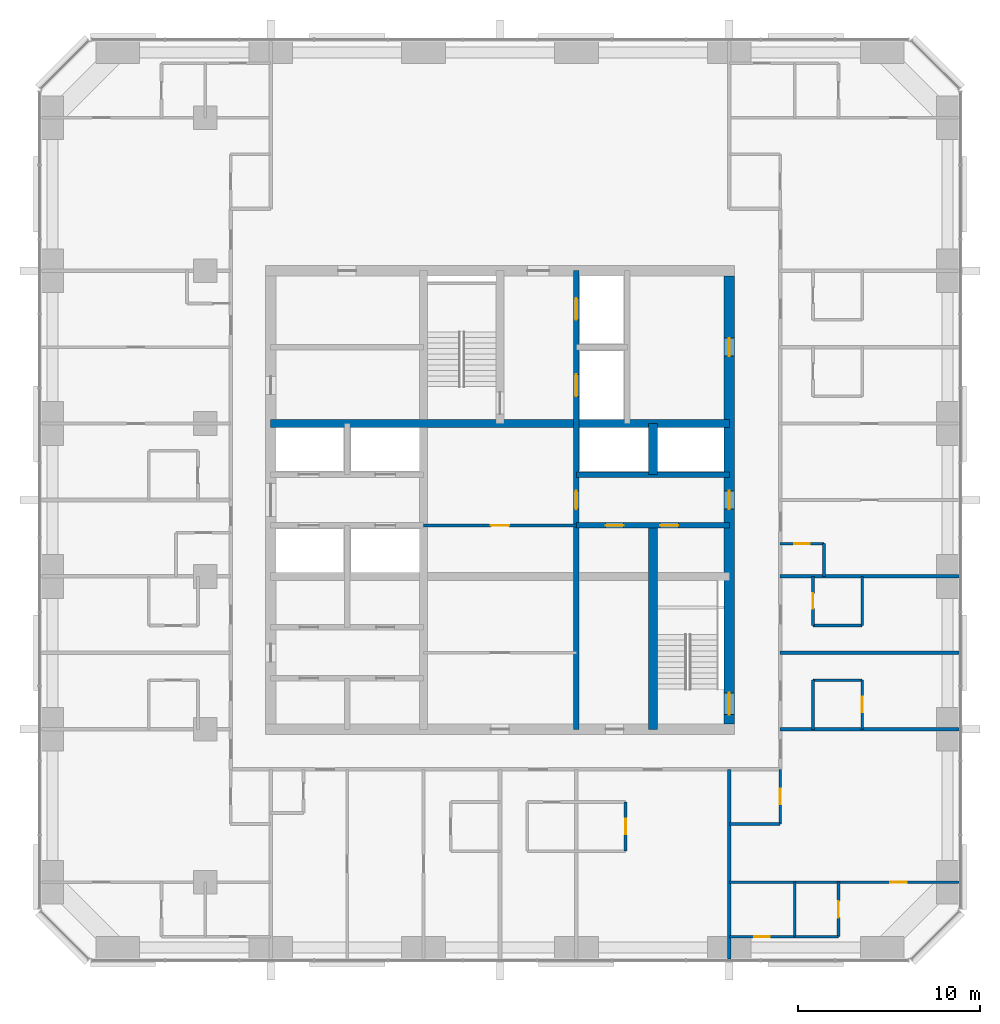
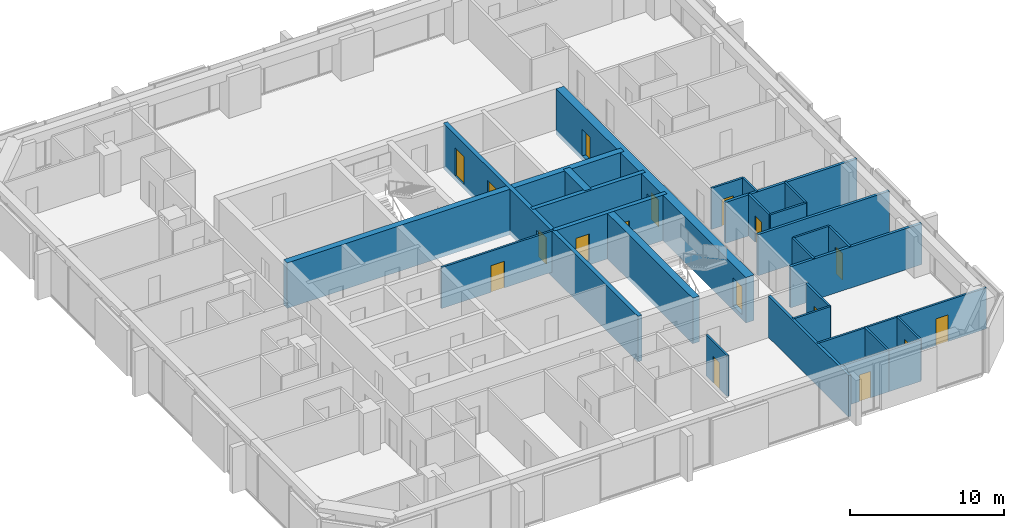
# One storey, part 10 of 13: 28 walls, 17 doors, 17 openings.
"""IFC4 building model written with IfcOpenShell, lengths in metres."""

from ifc_helpers import new_model, si_unit, direction, frame, frame_2d, origin, place, context, subcontext, project, spatial, rectangle, extrude, material, layer, layer_set, type_object, element, fill, save


model = new_model("IFC4")

# Units and contexts
model_context = context("Model", 3, precision=1e-05, world=origin(), true_north=direction((0.0, 1.0)))
body_context = subcontext(model_context, "Body", "Model", "MODEL_VIEW")
ifc_project = project(units=[si_unit("LENGTHUNIT", "METRE"), si_unit("AREAUNIT", "SQUARE_METRE"), si_unit("VOLUMEUNIT", "CUBIC_METRE"), si_unit("PLANEANGLEUNIT", "RADIAN"), si_unit("MASSUNIT", "GRAM", prefix="KILO")], contexts=[model_context])

# Site, building, storey
site_placement = place(None, origin())
site = spatial("IfcSite", under=ifc_project, at=site_placement, CompositionType="ELEMENT")
building_placement = place(site_placement, origin())
building = spatial("IfcBuilding", under=site, at=building_placement, Name="Dunama Terrace Hotel", CompositionType="ELEMENT")
storey_placement = place(building_placement, frame((0.0, 0.0, 205.800048828125)))
storey = spatial("IfcBuildingStorey", under=building, at=storey_placement, Name="L53", CompositionType="ELEMENT", Elevation=205.800048828125)

# Wall, opening, door
ifc_material_1 = material(Name="Gypsum board partition", Category="masonry")
ifc_layer_1 = layer(ifc_material_1, 0.14990234375)
ifc_layer_set_1 = layer_set([ifc_layer_1], Name="Bathroom partition 150")
wall_type_1 = type_object("IfcWallType", Name="Bathroom partition 150", PredefinedType="PARTITIONING", material=ifc_layer_set_1)
wall_1_placement = place(storey_placement, frame((36.300048828125, 10.10009765625, 0.0), z_axis=(0.0, 0.0, 1.0), x_axis=(0.0, 1.0, 0.0)))
wall_1 = element("IfcWall", 1, at=wall_1_placement, inside=storey, type_object=wall_type_1, Name="Bathroom partition 150 L53", PredefinedType="PARTITIONING", context=body_context, shape_type="SweptSolid", body=[
    extrude(rectangle(XDim=2.699951171875, YDim=0.14990234375, at=frame_2d((1.35009765625, 0.0))), origin(), (0.0, 0.0, 1.0), 3.25),
])
opening_1_placement = place(wall_1_placement, frame((0.925048828125, 0.0, 0.0)))
opening_1 = element("IfcOpeningElement", 2, at=opening_1_placement, cuts=wall_1, Name="Opening L53-54-017", PredefinedType="OPENING", context=body_context, shape_type="SweptSolid", body=[
    extrude(rectangle(XDim=0.85009765625, YDim=2.10009765625, at=frame_2d((0.425048828125, 1.050048828125))), frame((0.0, 0.0849609375, 0.0), z_axis=(0.0, -1.0, 0.0), x_axis=(1.0, 0.0, 0.0)), (0.0, 0.0, 1.0), 0.169921875),
])
ifc_material_2 = material(Name="Timber door with steel frame", Category="steel")
door_type_1 = type_object("IfcDoorType", Name="Bathroom door 850", OperationType="SINGLE_SWING_LEFT", PredefinedType="DOOR", material=ifc_material_2)
door_1_placement = place(opening_1_placement, origin())
door_1 = element("IfcDoor", 3, at=door_1_placement, inside=storey, type_object=door_type_1, Name="Door to en-suite bathroom L53-54-017, type D2", OperationType="SINGLE_SWING_LEFT", OverallHeight=2.10009765625, OverallWidth=0.85009765625, PredefinedType="DOOR", context=body_context, shape_type="SweptSolid", body=[
    extrude(rectangle(XDim=0.85009765625, YDim=2.10009765625, at=frame_2d((0.425048828125, 1.050048828125))), frame((0.0, 0.02490234375, 0.0), z_axis=(0.0, -1.0, 0.0), x_axis=(1.0, 0.0, 0.0)), (0.0, 0.0, 1.0), 0.050048828125),
])
fill(opening_1, door_1)

wall_2_placement = place(storey_placement, frame((44.800048828125, 11.60009765625, 0.0), z_axis=(0.0, 0.0, 1.0), x_axis=(0.0, 1.0, 0.0)))
wall_2 = element("IfcWall", 4, at=wall_2_placement, inside=storey, type_object=wall_type_1, Name="Bathroom partition 150 L53", PredefinedType="PARTITIONING", context=body_context, shape_type="SweptSolid", body=[
    extrude(rectangle(XDim=3.0, YDim=0.14990234375, at=frame_2d((1.5, 0.0))), origin(), (0.0, 0.0, 1.0), 3.25),
])
opening_2_placement = place(wall_2_placement, frame((1.074951171875, 0.0, 0.0)))
opening_2 = element("IfcOpeningElement", 5, at=opening_2_placement, cuts=wall_2, Name="Opening L53-54-046", PredefinedType="OPENING", context=body_context, shape_type="SweptSolid", body=[
    extrude(rectangle(XDim=0.85009765625, YDim=2.10009765625, at=frame_2d((0.425048828125, 1.050048828125))), frame((0.0, 0.0849609375, 0.0), z_axis=(0.0, -1.0, 0.0), x_axis=(1.0, 0.0, 0.0)), (0.0, 0.0, 1.0), 0.169921875),
])
door_2_placement = place(opening_2_placement, origin())
door_2 = element("IfcDoor", 6, at=door_2_placement, inside=storey, type_object=door_type_1, Name="Door to powder room L53-54-046, type D2", OperationType="SINGLE_SWING_RIGHT", OverallHeight=2.10009765625, OverallWidth=0.85009765625, PredefinedType="DOOR", context=body_context, shape_type="SweptSolid", body=[
    extrude(rectangle(XDim=0.85009765625, YDim=2.10009765625, at=frame_2d((0.425048828125, 1.050048828125))), frame((0.0, 0.02490234375, 0.0), z_axis=(0.0, -1.0, 0.0), x_axis=(1.0, 0.0, 0.0)), (0.0, 0.0, 1.0), 0.050048828125),
])
fill(opening_2, door_2)

# Wall
wall_3_placement = place(storey_placement, frame((46.60009765625, 16.800048828125, 0.0), z_axis=(0.0, 0.0, 1.0), x_axis=(0.0, 1.0, 0.0)))
element("IfcWall", 7, at=wall_3_placement, inside=storey, type_object=wall_type_1, Name="Bathroom partition 150 L53", PredefinedType="PARTITIONING", context=body_context, shape_type="SweptSolid", body=[
    extrude(rectangle(XDim=2.699951171875, YDim=0.14990234375, at=frame_2d((1.35009765625, 0.0))), origin(), (0.0, 0.0, 1.0), 3.25),
])

# Wall, opening, door
wall_4_placement = place(storey_placement, frame((46.60009765625, 22.5, 0.0), z_axis=(0.0, 0.0, 1.0), x_axis=(0.0, 1.0, 0.0)))
wall_4 = element("IfcWall", 8, at=wall_4_placement, inside=storey, type_object=wall_type_1, Name="Bathroom partition 150 L53", PredefinedType="PARTITIONING", context=body_context, shape_type="SweptSolid", body=[
    extrude(rectangle(XDim=2.699951171875, YDim=0.14990234375, at=frame_2d((1.35009765625, 0.0))), origin(), (0.0, 0.0, 1.0), 3.25),
])
opening_3_placement = place(wall_4_placement, frame((0.925048828125, 0.0, 0.0)))
opening_3 = element("IfcOpeningElement", 9, at=opening_3_placement, cuts=wall_4, Name="Opening L53-54-021", PredefinedType="OPENING", context=body_context, shape_type="SweptSolid", body=[
    extrude(rectangle(XDim=0.85009765625, YDim=2.10009765625, at=frame_2d((0.425048828125, 1.050048828125))), frame((0.0, 0.0849609375, 0.0), z_axis=(0.0, -1.0, 0.0), x_axis=(1.0, 0.0, 0.0)), (0.0, 0.0, 1.0), 0.169921875),
])
door_3_placement = place(opening_3_placement, frame((0.85009765625, 0.0, 0.0), z_axis=(0.0, 0.0, 1.0), x_axis=(-1.0, 0.0, 0.0)))
door_3 = element("IfcDoor", 10, at=door_3_placement, inside=storey, type_object=door_type_1, Name="Door to en-suite bathroom L53-54-021, type D2", OperationType="SINGLE_SWING_LEFT", OverallHeight=2.10009765625, OverallWidth=0.85009765625, PredefinedType="DOOR", context=body_context, shape_type="SweptSolid", body=[
    extrude(rectangle(XDim=0.85009765625, YDim=2.10009765625, at=frame_2d((0.425048828125, 1.050048828125))), frame((0.0, 0.025146484375, 0.0), z_axis=(0.0, -1.0, 0.0), x_axis=(1.0, 0.0, 0.0)), (0.0, 0.0, 1.0), 0.050048828125),
])
fill(opening_3, door_3)

# Wall
wall_5_placement = place(storey_placement, frame((47.199951171875, 25.199951171875, 0.0), z_axis=(0.0, 0.0, 1.0), x_axis=(0.0, 1.0, 0.0)))
element("IfcWall", 11, at=wall_5_placement, inside=storey, type_object=wall_type_1, Name="Bathroom partition 150 L53", PredefinedType="PARTITIONING", context=body_context, shape_type="SweptSolid", body=[
    extrude(rectangle(XDim=1.800048828125, YDim=0.14990234375, at=frame_2d((0.89990234375, 0.0))), origin(), (0.0, 0.0, 1.0), 3.25),
])

# Wall, opening, door
wall_6_placement = place(storey_placement, frame((49.300048828125, 16.800048828125, 0.0), z_axis=(0.0, 0.0, 1.0), x_axis=(0.0, 1.0, 0.0)))
wall_6 = element("IfcWall", 12, at=wall_6_placement, inside=storey, type_object=wall_type_1, Name="Bathroom partition 150 L53", PredefinedType="PARTITIONING", context=body_context, shape_type="SweptSolid", body=[
    extrude(rectangle(XDim=2.699951171875, YDim=0.14990234375, at=frame_2d((1.35009765625, 0.0))), origin(), (0.0, 0.0, 1.0), 3.25),
])
opening_4_placement = place(wall_6_placement, frame((0.925048828125, 0.0, 0.0)))
opening_4 = element("IfcOpeningElement", 13, at=opening_4_placement, cuts=wall_6, Name="Opening L53-54-019", PredefinedType="OPENING", context=body_context, shape_type="SweptSolid", body=[
    extrude(rectangle(XDim=0.85009765625, YDim=2.10009765625, at=frame_2d((0.425048828125, 1.050048828125))), frame((0.0, 0.0849609375, 0.0), z_axis=(0.0, -1.0, 0.0), x_axis=(1.0, 0.0, 0.0)), (0.0, 0.0, 1.0), 0.169921875),
])
door_4_placement = place(opening_4_placement, origin())
door_4 = element("IfcDoor", 14, at=door_4_placement, inside=storey, type_object=door_type_1, Name="Door to en-suite bathroom L53-54-019, type D2", OperationType="SINGLE_SWING_LEFT", OverallHeight=2.10009765625, OverallWidth=0.85009765625, PredefinedType="DOOR", context=body_context, shape_type="SweptSolid", body=[
    extrude(rectangle(XDim=0.85009765625, YDim=2.10009765625, at=frame_2d((0.425048828125, 1.050048828125))), frame((0.0, 0.02490234375, 0.0), z_axis=(0.0, -1.0, 0.0), x_axis=(1.0, 0.0, 0.0)), (0.0, 0.0, 1.0), 0.050048828125),
])
fill(opening_4, door_4)

# Wall
wall_7_placement = place(storey_placement, frame((49.300048828125, 22.5, 0.0), z_axis=(0.0, 0.0, 1.0), x_axis=(0.0, 1.0, 0.0)))
element("IfcWall", 15, at=wall_7_placement, inside=storey, type_object=wall_type_1, Name="Bathroom partition 150 L53", PredefinedType="PARTITIONING", context=body_context, shape_type="SweptSolid", body=[
    extrude(rectangle(XDim=2.699951171875, YDim=0.14990234375, at=frame_2d((1.35009765625, 0.0))), origin(), (0.0, 0.0, 1.0), 3.25),
])

# Wall, opening, door
wall_8_placement = place(storey_placement, frame((42.0, 5.39990234375, 0.0), z_axis=(0.0, 0.0, 1.0), x_axis=(1.0, 0.0, 0.0)))
wall_8 = element("IfcWall", 16, at=wall_8_placement, inside=storey, type_object=wall_type_1, Name="Bathroom partition 150 L53", PredefinedType="PARTITIONING", context=body_context, shape_type="SweptSolid", body=[
    extrude(rectangle(XDim=3.60009765625, YDim=0.14990234375, at=frame_2d((1.800048828125, 0.0))), origin(), (0.0, 0.0, 1.0), 3.25),
])
opening_5_placement = place(wall_8_placement, frame((1.375, 0.0, 0.0)))
opening_5 = element("IfcOpeningElement", 17, at=opening_5_placement, cuts=wall_8, Name="Opening L53-54-048", PredefinedType="OPENING", context=body_context, shape_type="SweptSolid", body=[
    extrude(rectangle(XDim=0.85009765625, YDim=2.10009765625, at=frame_2d((0.425048828125, 1.050048828125))), frame((0.0, 0.0849609375, 0.0), z_axis=(0.0, -1.0, 0.0), x_axis=(1.0, 0.0, 0.0)), (0.0, 0.0, 1.0), 0.169921875),
])
door_5_placement = place(opening_5_placement, origin())
door_5 = element("IfcDoor", 18, at=door_5_placement, inside=storey, type_object=door_type_1, Name="Door to en-suite bathroom L53-54-048, type D2", OperationType="SINGLE_SWING_LEFT", OverallHeight=2.10009765625, OverallWidth=0.85009765625, PredefinedType="DOOR", context=body_context, shape_type="SweptSolid", body=[
    extrude(rectangle(XDim=0.85009765625, YDim=2.10009765625, at=frame_2d((0.425048828125, 1.050048828125))), frame((0.0, 0.02490234375, 0.0), z_axis=(0.0, -1.0, 0.0), x_axis=(1.0, 0.0, 0.0)), (0.0, 0.0, 1.0), 0.050048828125),
])
fill(opening_5, door_5)

# Walls
wall_9_placement = place(storey_placement, frame((42.0, 11.60009765625, 0.0), z_axis=(0.0, 0.0, 1.0), x_axis=(1.0, 0.0, 0.0)))
element("IfcWall", 19, at=wall_9_placement, inside=storey, type_object=wall_type_1, Name="Bathroom partition 150 L53", PredefinedType="PARTITIONING", context=body_context, shape_type="SweptSolid", body=[
    extrude(rectangle(XDim=2.800048828125, YDim=0.14990234375, at=frame_2d((1.39990234375, 0.0))), origin(), (0.0, 0.0, 1.0), 3.25),
])
for number, where, z_axis, x_axis, name in (
    (20, (46.60009765625, 19.5, 0.0), (0.0, 0.0, 1.0), (1.0, 0.0, 0.0), "Bathroom partition 150 L53"),
    (21, (46.60009765625, 22.5, 0.0), (0.0, 0.0, 1.0), (1.0, 0.0, 0.0), "Bathroom partition 150 L53"),
):
    element("IfcWall", number, at=place(storey_placement, frame(where, z_axis=z_axis, x_axis=x_axis)), inside=storey, type_object=wall_type_1, Name=name, PredefinedType="PARTITIONING", context=body_context, shape_type="SweptSolid", body=[
        extrude(rectangle(XDim=2.699951171875, YDim=0.14990234375, at=frame_2d((1.35009765625, 0.0))), origin(), (0.0, 0.0, 1.0), 3.25),
    ])

# Wall, opening, door
wall_10_placement = place(storey_placement, frame((44.800048828125, 27.0, 0.0), z_axis=(0.0, 0.0, 1.0), x_axis=(1.0, 0.0, 0.0)))
wall_10 = element("IfcWall", 22, at=wall_10_placement, inside=storey, type_object=wall_type_1, Name="Bathroom partition 150 L53", PredefinedType="PARTITIONING", context=body_context, shape_type="SweptSolid", body=[
    extrude(rectangle(XDim=2.39990234375, YDim=0.14990234375, at=frame_2d((1.199951171875, 0.0))), origin(), (0.0, 0.0, 1.0), 3.25),
])
opening_6_placement = place(wall_10_placement, frame((0.77490234375, 0.0, 0.0)))
opening_6 = element("IfcOpeningElement", 23, at=opening_6_placement, cuts=wall_10, Name="Opening L53-54-023", PredefinedType="OPENING", context=body_context, shape_type="SweptSolid", body=[
    extrude(rectangle(XDim=0.85009765625, YDim=2.10009765625, at=frame_2d((0.425048828125, 1.050048828125))), frame((0.0, 0.0849609375, 0.0), z_axis=(0.0, -1.0, 0.0), x_axis=(1.0, 0.0, 0.0)), (0.0, 0.0, 1.0), 0.169921875),
])
door_6_placement = place(opening_6_placement, frame((0.85009765625, 0.0, 0.0), z_axis=(0.0, 0.0, 1.0), x_axis=(-1.0, 0.0, 0.0)))
door_6 = element("IfcDoor", 24, at=door_6_placement, inside=storey, type_object=door_type_1, Name="Door to powder room L53-54-023, type D2", OperationType="SINGLE_SWING_RIGHT", OverallHeight=2.10009765625, OverallWidth=0.85009765625, PredefinedType="DOOR", context=body_context, shape_type="SweptSolid", body=[
    extrude(rectangle(XDim=0.85009765625, YDim=2.10009765625, at=frame_2d((0.425048828125, 1.050048828125))), frame((0.0, 0.025146484375, 0.0), z_axis=(0.0, -1.0, 0.0), x_axis=(1.0, 0.0, 0.0)), (0.0, 0.0, 1.0), 0.050048828125),
])
fill(opening_6, door_6)

# Wall, openings, doors
ifc_material_3 = material(Name="Concrete C50/60", Category="concrete")
ifc_layer_2 = layer(ifc_material_3, 0.300048828125)
ifc_layer_set_2 = layer_set([ifc_layer_2], Name="Core inner wall 300")
wall_type_2 = type_object("IfcWallType", Name="Core inner wall 300", PredefinedType="SHEAR", material=ifc_layer_set_2)
wall_11_placement = place(storey_placement, frame((33.60009765625, 16.800048828125, -0.35009765625), z_axis=(0.0, 0.0, 1.0), x_axis=(0.0, 1.0, 0.0)))
wall_11 = element("IfcWall", 25, at=wall_11_placement, inside=storey, type_object=wall_type_2, Name="Core inner wall 300 L53", PredefinedType="SHEAR", context=body_context, shape_type="SweptSolid", body=[
    extrude(rectangle(XDim=25.199951171875, YDim=0.300048828125, at=frame_2d((12.60009765625, 0.0))), origin(), (0.0, 0.0, 1.0), 3.60009765625),
])
opening_7_placement = place(wall_11_placement, frame((22.5, 0.0, 0.35009765625)))
opening_7 = element("IfcOpeningElement", 26, at=opening_7_placement, cuts=wall_11, Name="Opening L53-54-007", PredefinedType="OPENING", context=body_context, shape_type="SweptSolid", body=[
    extrude(rectangle(XDim=1.199951171875, YDim=2.199951171875, at=frame_2d((0.60009765625, 1.10009765625))), frame((0.0, 0.159912109375, 0.0), z_axis=(0.0, -1.0, 0.0), x_axis=(1.0, 0.0, 0.0)), (0.0, 0.0, 1.0), 0.320068359375),
])
opening_8_placement = place(wall_11_placement, frame((18.300048828125, 0.0, 0.35009765625)))
opening_8 = element("IfcOpeningElement", 27, at=opening_8_placement, cuts=wall_11, Name="Opening L53-54-008", PredefinedType="OPENING", context=body_context, shape_type="SweptSolid", body=[
    extrude(rectangle(XDim=1.199951171875, YDim=2.199951171875, at=frame_2d((0.60009765625, 1.10009765625))), frame((0.0, 0.159912109375, 0.0), z_axis=(0.0, -1.0, 0.0), x_axis=(1.0, 0.0, 0.0)), (0.0, 0.0, 1.0), 0.320068359375),
])
opening_9_placement = place(wall_11_placement, frame((12.10009765625, 0.0, 0.35009765625)))
opening_9 = element("IfcOpeningElement", 28, at=opening_9_placement, cuts=wall_11, Name="Opening L53-54-068", PredefinedType="OPENING", context=body_context, shape_type="SweptSolid", body=[
    extrude(rectangle(XDim=1.0, YDim=2.10009765625, at=frame_2d((0.5, 1.050048828125))), frame((0.0, 0.159912109375, 0.0), z_axis=(0.0, -1.0, 0.0), x_axis=(1.0, 0.0, 0.0)), (0.0, 0.0, 1.0), 0.320068359375),
])
ifc_material_4 = material(Name="Stainless steel lift door", Category="steel")
door_type_2 = type_object("IfcDoorType", Name="Firefighting lift landing door 1200", OperationType="DOUBLE_DOOR_SLIDING", PredefinedType="DOOR", material=ifc_material_4)
door_7_placement = place(opening_7_placement, origin())
door_7 = element("IfcDoor", 29, at=door_7_placement, inside=storey, type_object=door_type_2, Name="Landing door FL1 L53-54-007, type LD2", OperationType="DOUBLE_DOOR_SLIDING", OverallHeight=2.199951171875, OverallWidth=1.199951171875, PredefinedType="DOOR", context=body_context, shape_type="SweptSolid", body=[
    extrude(rectangle(XDim=1.199951171875, YDim=2.199951171875, at=frame_2d((0.60009765625, 1.10009765625))), frame((0.0, 0.02490234375, 0.0), z_axis=(0.0, -1.0, 0.0), x_axis=(1.0, 0.0, 0.0)), (0.0, 0.0, 1.0), 0.050048828125),
])
fill(opening_7, door_7)
door_8_placement = place(opening_8_placement, origin())
door_8 = element("IfcDoor", 30, at=door_8_placement, inside=storey, type_object=door_type_2, Name="Landing door FL2 L53-54-008, type LD2", OperationType="DOUBLE_DOOR_SLIDING", OverallHeight=2.199951171875, OverallWidth=1.199951171875, PredefinedType="DOOR", context=body_context, shape_type="SweptSolid", body=[
    extrude(rectangle(XDim=1.199951171875, YDim=2.199951171875, at=frame_2d((0.60009765625, 1.10009765625))), frame((0.0, 0.02490234375, 0.0), z_axis=(0.0, -1.0, 0.0), x_axis=(1.0, 0.0, 0.0)), (0.0, 0.0, 1.0), 0.050048828125),
])
fill(opening_8, door_8)
ifc_material_5 = material(Name="Timber door with steel frame", Category="steel")
door_type_3 = type_object("IfcDoorType", Name="Service door 1000", OperationType="SINGLE_SWING_LEFT", PredefinedType="DOOR", material=ifc_material_5)
door_9_placement = place(opening_9_placement, origin())
door_9 = element("IfcDoor", 31, at=door_9_placement, inside=storey, type_object=door_type_3, Name="Door to guest amenities store L53-54-068, type D7", OperationType="SINGLE_SWING_LEFT", OverallHeight=2.10009765625, OverallWidth=1.0, PredefinedType="DOOR", context=body_context, shape_type="SweptSolid", body=[
    extrude(rectangle(XDim=1.0, YDim=2.10009765625, at=frame_2d((0.5, 1.050048828125))), frame((0.0, 0.02490234375, 0.0), z_axis=(0.0, -1.0, 0.0), x_axis=(1.0, 0.0, 0.0)), (0.0, 0.0, 1.0), 0.050048828125),
])
fill(opening_9, door_9)

wall_12_placement = place(storey_placement, frame((33.60009765625, 28.0, -0.35009765625), z_axis=(0.0, 0.0, 1.0), x_axis=(1.0, 0.0, 0.0)))
wall_12 = element("IfcWall", 32, at=wall_12_placement, inside=storey, type_object=wall_type_2, Name="Core inner wall 300 L53", PredefinedType="SHEAR", context=body_context, shape_type="SweptSolid", body=[
    extrude(rectangle(XDim=8.39990234375, YDim=0.300048828125, at=frame_2d((4.199951171875, 0.0))), origin(), (0.0, 0.0, 1.0), 3.60009765625),
])
opening_10_placement = place(wall_12_placement, frame((1.60009765625, 0.0, 0.35009765625)))
opening_10 = element("IfcOpeningElement", 33, at=opening_10_placement, cuts=wall_12, Name="Opening L53-54-070", PredefinedType="OPENING", context=body_context, shape_type="SweptSolid", body=[
    extrude(rectangle(XDim=1.0, YDim=2.10009765625, at=frame_2d((0.5, 1.050048828125))), frame((0.0, 0.159912109375, 0.0), z_axis=(0.0, -1.0, 0.0), x_axis=(1.0, 0.0, 0.0)), (0.0, 0.0, 1.0), 0.320068359375),
])
opening_11_placement = place(wall_12_placement, frame((4.60009765625, 0.0, 0.35009765625)))
opening_11 = element("IfcOpeningElement", 34, at=opening_11_placement, cuts=wall_12, Name="Opening L53-54-071", PredefinedType="OPENING", context=body_context, shape_type="SweptSolid", body=[
    extrude(rectangle(XDim=1.0, YDim=2.10009765625, at=frame_2d((0.5, 1.050048828125))), frame((0.0, 0.159912109375, 0.0), z_axis=(0.0, -1.0, 0.0), x_axis=(1.0, 0.0, 0.0)), (0.0, 0.0, 1.0), 0.320068359375),
])
door_10_placement = place(opening_10_placement, frame((1.0, 0.0, 0.0), z_axis=(0.0, 0.0, 1.0), x_axis=(-1.0, 0.0, 0.0)))
door_10 = element("IfcDoor", 35, at=door_10_placement, inside=storey, type_object=door_type_3, Name="Door to service riser L53-54-070, type D7", OperationType="SINGLE_SWING_LEFT", OverallHeight=2.10009765625, OverallWidth=1.0, PredefinedType="DOOR", context=body_context, shape_type="SweptSolid", body=[
    extrude(rectangle(XDim=1.0, YDim=2.10009765625, at=frame_2d((0.5, 1.050048828125))), frame((0.0, 0.025146484375, 0.0), z_axis=(0.0, -1.0, 0.0), x_axis=(1.0, 0.0, 0.0)), (0.0, 0.0, 1.0), 0.050048828125),
])
fill(opening_10, door_10)
door_11_placement = place(opening_11_placement, frame((1.0, 0.0, 0.0), z_axis=(0.0, 0.0, 1.0), x_axis=(-1.0, 0.0, 0.0)))
door_11 = element("IfcDoor", 36, at=door_11_placement, inside=storey, type_object=door_type_3, Name="Door to cleaners store L53-54-071, type D7", OperationType="SINGLE_SWING_RIGHT", OverallHeight=2.10009765625, OverallWidth=1.0, PredefinedType="DOOR", context=body_context, shape_type="SweptSolid", body=[
    extrude(rectangle(XDim=1.0, YDim=2.10009765625, at=frame_2d((0.5, 1.050048828125))), frame((0.0, 0.025146484375, 0.0), z_axis=(0.0, -1.0, 0.0), x_axis=(1.0, 0.0, 0.0)), (0.0, 0.0, 1.0), 0.050048828125),
])
fill(opening_11, door_11)

# Walls
wall_13_placement = place(storey_placement, frame((33.60009765625, 30.800048828125, -0.35009765625), z_axis=(0.0, 0.0, 1.0), x_axis=(1.0, 0.0, 0.0)))
element("IfcWall", 37, at=wall_13_placement, inside=storey, type_object=wall_type_2, Name="Core inner wall 300 L53", PredefinedType="SHEAR", context=body_context, shape_type="SweptSolid", body=[
    extrude(rectangle(XDim=8.39990234375, YDim=0.300048828125, at=frame_2d((4.199951171875, 0.0))), origin(), (0.0, 0.0, 1.0), 3.60009765625),
])
ifc_material_6 = material(Name="Concrete C50/60", Category="concrete")
ifc_layer_3 = layer(ifc_material_6, 0.449951171875)
ifc_layer_set_3 = layer_set([ifc_layer_3], Name="Core inner wall 450")
wall_type_3 = type_object("IfcWallType", Name="Core inner wall 450", PredefinedType="SHEAR", material=ifc_layer_set_3)
wall_14_placement = place(storey_placement, frame((16.800048828125, 33.60009765625, -0.35009765625), z_axis=(0.0, 0.0, 1.0), x_axis=(1.0, 0.0, 0.0)))
element("IfcWall", 38, at=wall_14_placement, inside=storey, type_object=wall_type_3, Name="Core inner wall 450 L53", PredefinedType="SHEAR", context=body_context, shape_type="SweptSolid", body=[
    extrude(rectangle(XDim=25.199951171875, YDim=0.449951171875, at=frame_2d((12.60009765625, 0.0))), origin(), (0.0, 0.0, 1.0), 3.60009765625),
])
ifc_material_7 = material(Name="Concrete C50/60", Category="concrete")
ifc_layer_4 = layer(ifc_material_7, 0.5)
ifc_layer_set_4 = layer_set([ifc_layer_4], Name="Core inner wall 500")
wall_type_4 = type_object("IfcWallType", Name="Core inner wall 500", PredefinedType="SHEAR", material=ifc_layer_set_4)
wall_15_placement = place(storey_placement, frame((37.800048828125, 16.800048828125, -0.35009765625), z_axis=(0.0, 0.0, 1.0), x_axis=(0.0, 1.0, 0.0)))
element("IfcWall", 39, at=wall_15_placement, inside=storey, type_object=wall_type_4, Name="Core inner wall 500 L53", PredefinedType="SHEAR", context=body_context, shape_type="SweptSolid", body=[
    extrude(rectangle(XDim=11.199951171875, YDim=0.5, at=frame_2d((5.60009765625, 0.0))), origin(), (0.0, 0.0, 1.0), 3.60009765625),
])
wall_16_placement = place(storey_placement, frame((37.800048828125, 30.800048828125, -0.35009765625), z_axis=(0.0, 0.0, 1.0), x_axis=(0.0, 1.0, 0.0)))
element("IfcWall", 40, at=wall_16_placement, inside=storey, type_object=wall_type_4, Name="Core inner wall 500 L53", PredefinedType="SHEAR", context=body_context, shape_type="SweptSolid", body=[
    extrude(rectangle(XDim=2.800048828125, YDim=0.5, at=frame_2d((1.39990234375, 0.0))), origin(), (0.0, 0.0, 1.0), 3.60009765625),
])

# Wall, openings, doors
ifc_material_8 = material(Name="Concrete C50/60", Category="concrete")
ifc_layer_5 = layer(ifc_material_8, 0.60009765625)
ifc_layer_set_5 = layer_set([ifc_layer_5], Name="Core wall 600")
wall_type_5 = type_object("IfcWallType", Name="Core wall 600", PredefinedType="SHEAR", material=ifc_layer_set_5)
wall_17_placement = place(storey_placement, frame((42.0, 17.10009765625, -0.35009765625), z_axis=(0.0, 0.0, 1.0), x_axis=(0.0, 1.0, 0.0)))
wall_17 = element("IfcWall", 41, at=wall_17_placement, inside=storey, type_object=wall_type_5, Name="Core wall east L53", PredefinedType="SHEAR", context=body_context, shape_type="SweptSolid", body=[
    extrude(rectangle(XDim=24.599853515625, YDim=0.60009765625, at=frame_2d((12.2998046875, 0.0))), origin(), (0.0, 0.0, 1.0), 3.60009765625),
])
opening_12_placement = place(wall_17_placement, frame((0.5, 0.0, 0.35009765625)))
opening_12 = element("IfcOpeningElement", 42, at=opening_12_placement, cuts=wall_17, Name="Opening L53-54-002", PredefinedType="OPENING", context=body_context, shape_type="SweptSolid", body=[
    extrude(rectangle(XDim=1.199951171875, YDim=2.199951171875, at=frame_2d((0.60009765625, 1.10009765625))), frame((0.0, 0.31005859375, 0.0), z_axis=(0.0, -1.0, 0.0), x_axis=(1.0, 0.0, 0.0)), (0.0, 0.0, 1.0), 0.6201171875),
])
opening_13_placement = place(wall_17_placement, frame((11.800048828125, 0.0, 0.35009765625)))
opening_13 = element("IfcOpeningElement", 43, at=opening_13_placement, cuts=wall_17, Name="Opening L53-54-072", PredefinedType="OPENING", context=body_context, shape_type="SweptSolid", body=[
    extrude(rectangle(XDim=1.0, YDim=2.10009765625, at=frame_2d((0.5, 1.050048828125))), frame((0.0, 0.31005859375, 0.0), z_axis=(0.0, -1.0, 0.0), x_axis=(1.0, 0.0, 0.0)), (0.0, 0.0, 1.0), 0.6201171875),
])
opening_14_placement = place(wall_17_placement, frame((20.199951171875, 0.0, 0.35009765625)))
opening_14 = element("IfcOpeningElement", 44, at=opening_14_placement, cuts=wall_17, Name="Opening L53-54-074", PredefinedType="OPENING", context=body_context, shape_type="SweptSolid", body=[
    extrude(rectangle(XDim=1.0, YDim=2.10009765625, at=frame_2d((0.5, 1.050048828125))), frame((0.0, 0.31005859375, 0.0), z_axis=(0.0, -1.0, 0.0), x_axis=(1.0, 0.0, 0.0)), (0.0, 0.0, 1.0), 0.6201171875),
])
door_12_placement = place(opening_13_placement, origin())
door_12 = element("IfcDoor", 45, at=door_12_placement, inside=storey, type_object=door_type_3, Name="Door to service lobby L53-54-072, type D7", OperationType="SINGLE_SWING_RIGHT", OverallHeight=2.10009765625, OverallWidth=1.0, PredefinedType="DOOR", context=body_context, shape_type="SweptSolid", body=[
    extrude(rectangle(XDim=1.0, YDim=2.10009765625, at=frame_2d((0.5, 1.050048828125))), frame((0.0, 0.02490234375, 0.0), z_axis=(0.0, -1.0, 0.0), x_axis=(1.0, 0.0, 0.0)), (0.0, 0.0, 1.0), 0.050048828125),
])
fill(opening_13, door_12)
door_13_placement = place(opening_14_placement, origin())
door_13 = element("IfcDoor", 46, at=door_13_placement, inside=storey, type_object=door_type_3, Name="Door to ice and vending room L53-54-074, type D7", OperationType="SINGLE_SWING_LEFT", OverallHeight=2.10009765625, OverallWidth=1.0, PredefinedType="DOOR", context=body_context, shape_type="SweptSolid", body=[
    extrude(rectangle(XDim=1.0, YDim=2.10009765625, at=frame_2d((0.5, 1.050048828125))), frame((0.0, 0.02490234375, 0.0), z_axis=(0.0, -1.0, 0.0), x_axis=(1.0, 0.0, 0.0)), (0.0, 0.0, 1.0), 0.050048828125),
])
fill(opening_14, door_13)
ifc_material_9 = material(Name="Timber door with steel frame", Category="steel")
door_type_4 = type_object("IfcDoorType", Name="Stair door 1200", OperationType="SINGLE_SWING_LEFT", PredefinedType="DOOR", material=ifc_material_9)
door_14_placement = place(opening_12_placement, origin())
door_14 = element("IfcDoor", 47, at=door_14_placement, inside=storey, type_object=door_type_4, Name="Stair door ST2 L53-54-002, type D5", OperationType="SINGLE_SWING_LEFT", OverallHeight=2.199951171875, OverallWidth=1.199951171875, PredefinedType="DOOR", context=body_context, shape_type="SweptSolid", body=[
    extrude(rectangle(XDim=1.199951171875, YDim=2.199951171875, at=frame_2d((0.60009765625, 1.10009765625))), frame((0.0, 0.02490234375, 0.0), z_axis=(0.0, -1.0, 0.0), x_axis=(1.0, 0.0, 0.0)), (0.0, 0.0, 1.0), 0.050048828125),
])
fill(opening_12, door_14)

# Walls
ifc_material_10 = material(Name="Concrete blockwork", Category="masonry")
ifc_layer_6 = layer(ifc_material_10, 0.199951171875)
ifc_layer_set_6 = layer_set([ifc_layer_6], Name="Party wall 200")
wall_type_6 = type_object("IfcWallType", Name="Party wall 200", PredefinedType="PARTITIONING", material=ifc_layer_set_6)
wall_18_placement = place(storey_placement, frame((42.0, 4.181884765625, 0.0), z_axis=(0.0, 0.0, 1.0), x_axis=(0.0, 1.0, 0.0)))
element("IfcWall", 48, at=wall_18_placement, inside=storey, type_object=wall_type_6, Name="Party wall 200 L53", PredefinedType="PARTITIONING", context=body_context, shape_type="SweptSolid", body=[
    extrude(rectangle(XDim=10.418212890625, YDim=0.199951171875, at=frame_2d((5.208984375, 0.0))), origin(), (0.0, 0.0, 1.0), 3.25),
])
for number, where, z_axis, x_axis, name in (
    (49, (44.800048828125, 16.800048828125, 0.0), (0.0, 0.0, 1.0), (1.0, 0.0, 0.0), "Party wall 200 L53"),
    (50, (44.800048828125, 21.0, 0.0), (0.0, 0.0, 1.0), (1.0, 0.0, 0.0), "Party wall 200 L53"),
    (51, (44.800048828125, 25.199951171875, 0.0), (0.0, 0.0, 1.0), (1.0, 0.0, 0.0), "Party wall 200 L53"),
):
    element("IfcWall", number, at=place(storey_placement, frame(where, z_axis=z_axis, x_axis=x_axis)), inside=storey, type_object=wall_type_6, Name=name, PredefinedType="PARTITIONING", context=body_context, shape_type="SweptSolid", body=[
        extrude(rectangle(XDim=9.81787109375, YDim=0.199951171875, at=frame_2d((4.908935546875, 0.0))), origin(), (0.0, 0.0, 1.0), 3.25),
    ])
ifc_material_11 = material(Name="Gypsum board partition", Category="masonry")
ifc_layer_7 = layer(ifc_material_11, 0.14990234375)
ifc_layer_set_7 = layer_set([ifc_layer_7], Name="Room partition 150")
wall_type_7 = type_object("IfcWallType", Name="Room partition 150", PredefinedType="PARTITIONING", material=ifc_layer_set_7)
wall_19_placement = place(storey_placement, frame((45.60009765625, 5.39990234375, 0.0), z_axis=(0.0, 0.0, 1.0), x_axis=(0.0, 1.0, 0.0)))
element("IfcWall", 52, at=wall_19_placement, inside=storey, type_object=wall_type_7, Name="Room partition 150 L53", PredefinedType="PARTITIONING", context=body_context, shape_type="SweptSolid", body=[
    extrude(rectangle(XDim=3.0, YDim=0.14990234375, at=frame_2d((1.5, 0.0))), origin(), (0.0, 0.0, 1.0), 3.25),
])

# Wall, opening, door
wall_20_placement = place(storey_placement, frame((48.0, 5.39990234375, 0.0), z_axis=(0.0, 0.0, 1.0), x_axis=(0.0, 1.0, 0.0)))
wall_20 = element("IfcWall", 53, at=wall_20_placement, inside=storey, type_object=wall_type_7, Name="Room partition 150 L53", PredefinedType="PARTITIONING", context=body_context, shape_type="SweptSolid", body=[
    extrude(rectangle(XDim=3.0, YDim=0.14990234375, at=frame_2d((1.5, 0.0))), origin(), (0.0, 0.0, 1.0), 3.25),
])
opening_15_placement = place(wall_20_placement, frame((1.050048828125, 0.0, 0.0)))
opening_15 = element("IfcOpeningElement", 54, at=opening_15_placement, cuts=wall_20, Name="Opening L53-54-049", PredefinedType="OPENING", context=body_context, shape_type="SweptSolid", body=[
    extrude(rectangle(XDim=0.89990234375, YDim=2.10009765625, at=frame_2d((0.449951171875, 1.050048828125))), frame((0.0, 0.0849609375, 0.0), z_axis=(0.0, -1.0, 0.0), x_axis=(1.0, 0.0, 0.0)), (0.0, 0.0, 1.0), 0.169921875),
])
ifc_material_12 = material(Name="Timber door with steel frame", Category="steel")
door_type_5 = type_object("IfcDoorType", Name="Suite internal door 900", OperationType="SINGLE_SWING_LEFT", PredefinedType="DOOR", material=ifc_material_12)
door_15_placement = place(opening_15_placement, origin())
door_15 = element("IfcDoor", 55, at=door_15_placement, inside=storey, type_object=door_type_5, Name="Door to dressing room L53-54-049, type D16", OperationType="SINGLE_SWING_LEFT", OverallHeight=2.10009765625, OverallWidth=0.89990234375, PredefinedType="DOOR", context=body_context, shape_type="SweptSolid", body=[
    extrude(rectangle(XDim=0.89990234375, YDim=2.10009765625, at=frame_2d((0.449951171875, 1.050048828125))), frame((0.0, 0.02490234375, 0.0), z_axis=(0.0, -1.0, 0.0), x_axis=(1.0, 0.0, 0.0)), (0.0, 0.0, 1.0), 0.050048828125),
])
fill(opening_15, door_15)

# Wall
wall_21_placement = place(storey_placement, frame((45.60009765625, 5.39990234375, 0.0), z_axis=(0.0, 0.0, 1.0), x_axis=(1.0, 0.0, 0.0)))
element("IfcWall", 56, at=wall_21_placement, inside=storey, type_object=wall_type_7, Name="Room partition 150 L53", PredefinedType="PARTITIONING", context=body_context, shape_type="SweptSolid", body=[
    extrude(rectangle(XDim=2.39990234375, YDim=0.14990234375, at=frame_2d((1.199951171875, 0.0))), origin(), (0.0, 0.0, 1.0), 3.25),
])

# Wall, opening, door
wall_22_placement = place(storey_placement, frame((42.0, 8.39990234375, 0.0), z_axis=(0.0, 0.0, 1.0), x_axis=(1.0, 0.0, 0.0)))
wall_22 = element("IfcWall", 57, at=wall_22_placement, inside=storey, type_object=wall_type_7, Name="Room partition 150 L53", PredefinedType="PARTITIONING", context=body_context, shape_type="SweptSolid", body=[
    extrude(rectangle(XDim=12.617919921875, YDim=0.14990234375, at=frame_2d((6.30908203125, 0.0))), origin(), (0.0, 0.0, 1.0), 3.25),
])
opening_16_placement = place(wall_22_placement, frame((8.85009765625, 0.0, 0.0)))
opening_16 = element("IfcOpeningElement", 58, at=opening_16_placement, cuts=wall_22, Name="Opening L53-54-047", PredefinedType="OPENING", context=body_context, shape_type="SweptSolid", body=[
    extrude(rectangle(XDim=0.89990234375, YDim=2.10009765625, at=frame_2d((0.449951171875, 1.050048828125))), frame((0.0, 0.0849609375, 0.0), z_axis=(0.0, -1.0, 0.0), x_axis=(1.0, 0.0, 0.0)), (0.0, 0.0, 1.0), 0.169921875),
])
door_16_placement = place(opening_16_placement, frame((0.89990234375, 0.0, 0.0), z_axis=(0.0, 0.0, 1.0), x_axis=(-1.0, 0.0, 0.0)))
door_16 = element("IfcDoor", 59, at=door_16_placement, inside=storey, type_object=door_type_5, Name="Door to corner suite bedroom L53-54-047, type D16", OperationType="SINGLE_SWING_LEFT", OverallHeight=2.10009765625, OverallWidth=0.89990234375, PredefinedType="DOOR", context=body_context, shape_type="SweptSolid", body=[
    extrude(rectangle(XDim=0.89990234375, YDim=2.10009765625, at=frame_2d((0.449951171875, 1.050048828125))), frame((0.0, 0.025146484375, 0.0), z_axis=(0.0, -1.0, 0.0), x_axis=(1.0, 0.0, 0.0)), (0.0, 0.0, 1.0), 0.050048828125),
])
fill(opening_16, door_16)

wall_23_placement = place(storey_placement, frame((25.199951171875, 28.0, 0.0), z_axis=(0.0, 0.0, 1.0), x_axis=(1.0, 0.0, 0.0)))
wall_23 = element("IfcWall", 60, at=wall_23_placement, inside=storey, type_object=wall_type_7, Name="Room partition 150 L53", PredefinedType="PARTITIONING", context=body_context, shape_type="SweptSolid", body=[
    extrude(rectangle(XDim=8.400146484375, YDim=0.14990234375, at=frame_2d((4.2001953125, 0.0))), origin(), (0.0, 0.0, 1.0), 3.25),
])
opening_17_placement = place(wall_23_placement, frame((3.699951171875, 0.0, 0.0)))
opening_17 = element("IfcOpeningElement", 61, at=opening_17_placement, cuts=wall_23, Name="Opening L53-54-069", PredefinedType="OPENING", context=body_context, shape_type="SweptSolid", body=[
    extrude(rectangle(XDim=1.0, YDim=2.10009765625, at=frame_2d((0.5, 1.050048828125))), frame((0.0, 0.0849609375, 0.0), z_axis=(0.0, -1.0, 0.0), x_axis=(1.0, 0.0, 0.0)), (0.0, 0.0, 1.0), 0.169921875),
])
door_17_placement = place(opening_17_placement, frame((1.0, 0.0, 0.0), z_axis=(0.0, 0.0, 1.0), x_axis=(-1.0, 0.0, 0.0)))
door_17 = element("IfcDoor", 62, at=door_17_placement, inside=storey, type_object=door_type_3, Name="Door to luggage store L53-54-069, type D7", OperationType="SINGLE_SWING_RIGHT", OverallHeight=2.10009765625, OverallWidth=1.0, PredefinedType="DOOR", context=body_context, shape_type="SweptSolid", body=[
    extrude(rectangle(XDim=1.0, YDim=2.10009765625, at=frame_2d((0.5, 1.050048828125))), frame((0.0, 0.025146484375, 0.0), z_axis=(0.0, -1.0, 0.0), x_axis=(1.0, 0.0, 0.0)), (0.0, 0.0, 1.0), 0.050048828125),
])
fill(opening_17, door_17)

save(model, "model.ifc")
